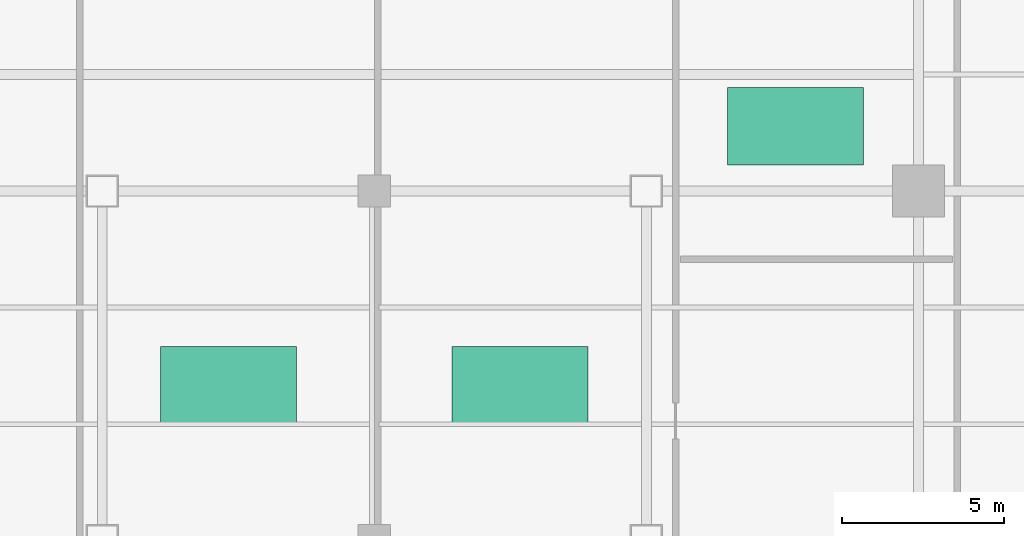
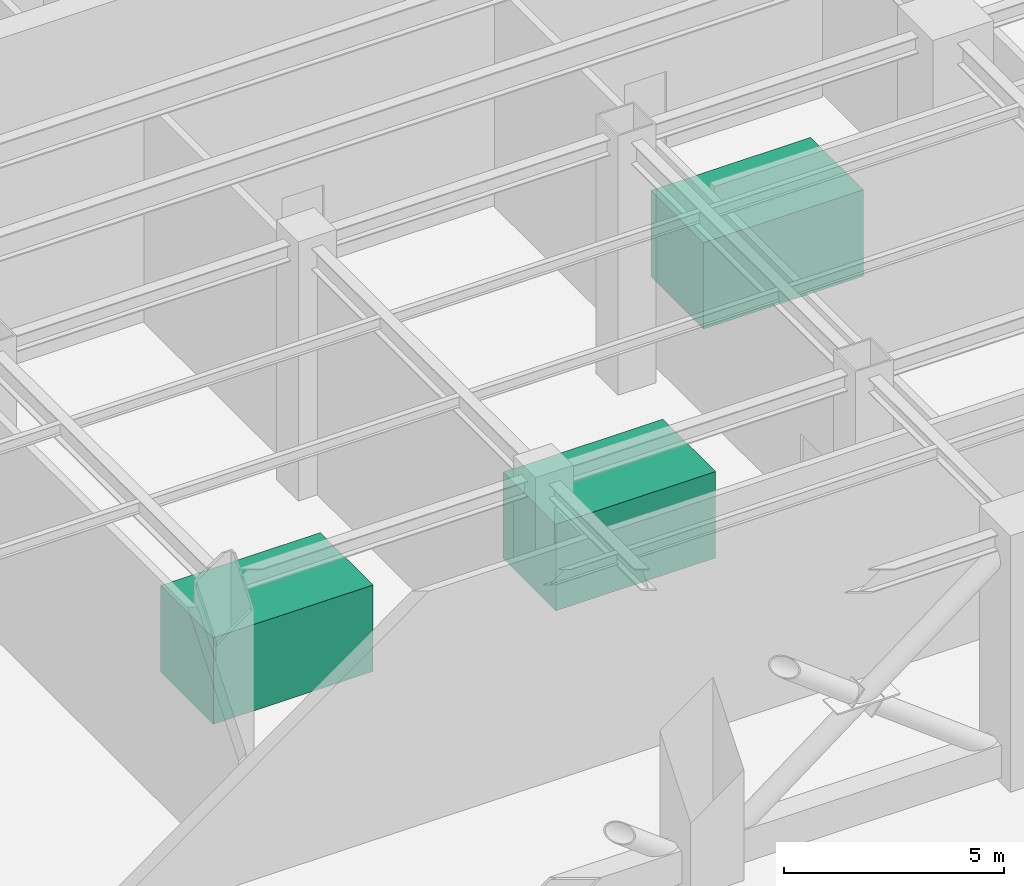
# One storey, part 9 of 9: 3 unitary equipment elements.
"""IFC4 building model written with IfcOpenShell, lengths in metres."""

from ifc_helpers import new_model, si_unit, direction, frame, origin, origin_2d, place, context, subcontext, project, spatial, rectangle, extrude, source, transform, mapped, material, type_object, element, save


model = new_model("IFC4")

# Units and contexts
model_context = context("Model", 3, precision=1e-05, world=origin(), true_north=direction((0.0, 1.0)))
body_context = subcontext(model_context, "Body", "Model", "MODEL_VIEW")
ifc_project = project(units=[si_unit("LENGTHUNIT", "METRE"), si_unit("AREAUNIT", "SQUARE_METRE"), si_unit("VOLUMEUNIT", "CUBIC_METRE"), si_unit("PLANEANGLEUNIT", "RADIAN"), si_unit("MASSUNIT", "GRAM", prefix="KILO")], contexts=[model_context])

# Site, building, storey
site_placement = place(None, origin())
site = spatial("IfcSite", under=ifc_project, at=site_placement, CompositionType="ELEMENT")
building_placement = place(site_placement, origin())
building = spatial("IfcBuilding", under=site, at=building_placement, Name="Sumidabori Civic Tower", CompositionType="ELEMENT")
storey_placement = place(building_placement, frame((0.0, 0.0, 124.39990234375)))
storey = spatial("IfcBuildingStorey", under=building, at=storey_placement, Name="L32", CompositionType="ELEMENT", Elevation=124.39990234375)

# Unitary equipment
ifc_material = material(Name="Stainless Steel Hairline Finish", Category="steel")
unitary_equipment_type = type_object("IfcUnitaryEquipmentType", Name="EQ-PLANT-1", PredefinedType="AIRHANDLER", material=ifc_material)
shared_shape = source(origin(), body_context, "Body", "SweptSolid", [
    extrude(rectangle(XDim=4.199951171875, YDim=2.39990234375, at=origin_2d()), origin(), (0.0, 0.0, 1.0), 2.39990234375),
])
for number, where, z_axis, x_axis, name in (
    (1, (-4.5, -6.0, 0.000244140625), (0.0, 0.0, 1.0), (1.0, 0.0, 0.0), "Centrifugal Chiller Unit L32-1"),
    (2, (4.5, -6.0, 0.000244140625), (0.0, 0.0, 1.0), (1.0, 0.0, 0.0), "Heat Recovery AHU L32-2"),
    (3, (13.0, 2.0, 0.000244140625), (0.0, 0.0, 1.0), (1.0, 0.0, 0.0), "Main Switchgear Cubicle L32-3"),
):
    element("IfcUnitaryEquipment", number, at=place(storey_placement, frame(where, z_axis=z_axis, x_axis=x_axis)), inside=storey, type_object=unitary_equipment_type, Name=name, PredefinedType="AIRHANDLER", context=body_context, shape_type="MappedRepresentation", body=[
        mapped(shared_shape, transform((0.0, 0.0, 0.0), x_axis=(1.0, 0.0, 0.0), y_axis=(0.0, 1.0, 0.0), z_axis=(0.0, 0.0, 1.0), scale=1.0)),
    ])

save(model, "model.ifc")
